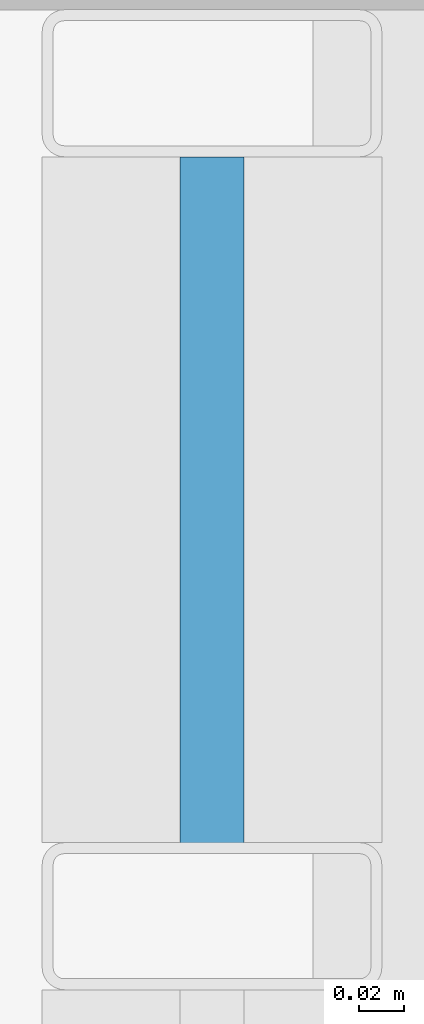
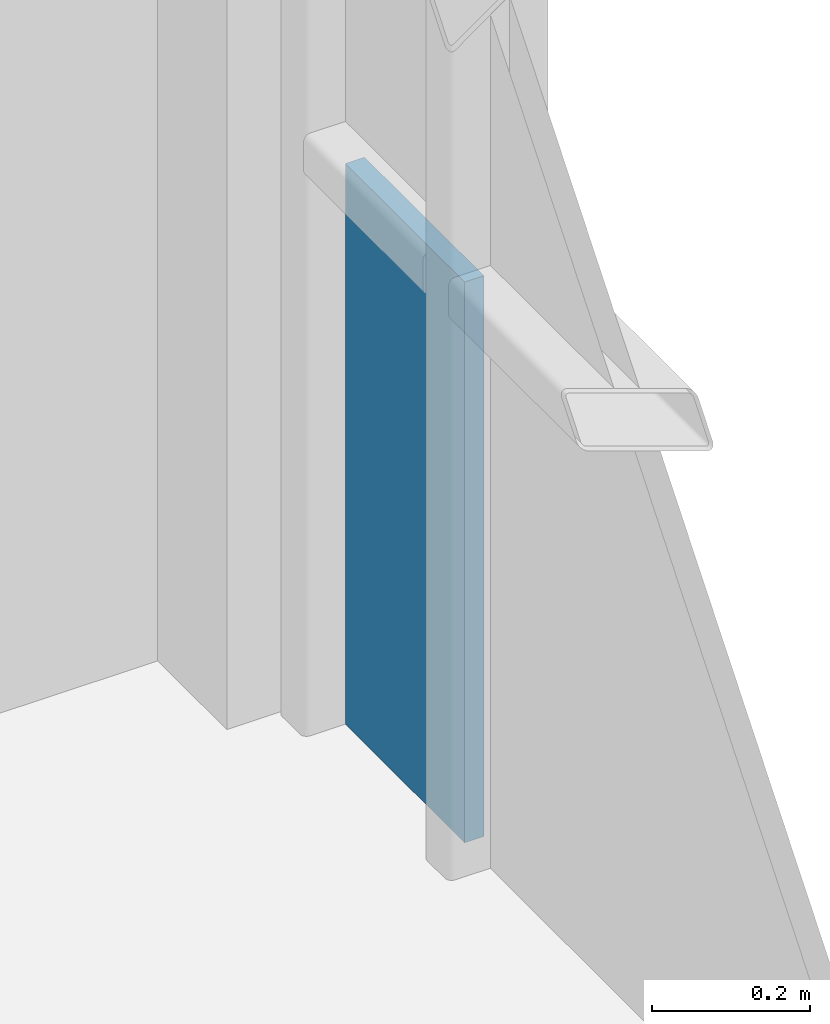
# One storey, part 30 of 41: 1 plate, 1 element without a shape of its own.
"""IFC4 building model written with IfcOpenShell, lengths in metres."""

from ifc_helpers import new_model, si_unit, direction, frame, origin, origin_2d, place, context, subcontext, project, spatial, rectangle, extrude, material, layer, layer_set, type_object, element, aggregate, save


model = new_model("IFC4")

# Units and contexts
model_context = context("Model", 3, precision=1e-05, world=origin(), true_north=direction((0.0, 1.0)))
body_context = subcontext(model_context, "Body", "Model", "MODEL_VIEW")
ifc_project = project(units=[si_unit("LENGTHUNIT", "METRE"), si_unit("AREAUNIT", "SQUARE_METRE"), si_unit("VOLUMEUNIT", "CUBIC_METRE"), si_unit("PLANEANGLEUNIT", "RADIAN"), si_unit("MASSUNIT", "GRAM", prefix="KILO")], contexts=[model_context])

# Site, building, storey
site_placement = place(None, origin())
site = spatial("IfcSite", under=ifc_project, at=site_placement, CompositionType="ELEMENT")
building_placement = place(site_placement, origin())
building = spatial("IfcBuilding", under=site, at=building_placement, Name="Brevholm Reach", CompositionType="ELEMENT")
storey_placement = place(building_placement, frame((0.0, 0.0, 86.89990234375)))
storey = spatial("IfcBuildingStorey", under=building, at=storey_placement, Name="L25", CompositionType="ELEMENT", Elevation=86.89990234375)

# Curtain wall, plate
ifc_material_1 = material(Name="Dark Anodised Aluminium 6063-T6 and Solar-Control Glass", Category="aluminium")
ifc_layer_1 = layer(ifc_material_1, 0.14990234375)
ifc_layer_set_1 = layer_set([ifc_layer_1], Name="Dark Anodised Aluminium 6063-T6 and Solar-Control Glass")
curtain_wall_type = type_object("IfcCurtainWallType", Name="CW-01", PredefinedType="NOTDEFINED", material=ifc_layer_set_1)
curtain_wall_placement = place(storey_placement, origin())
curtain_wall = element("IfcCurtainWall", 1, at=curtain_wall_placement, inside=storey, type_object=curtain_wall_type, Name="L25 Curtain Wall CW-01", PredefinedType="NOTDEFINED")
ifc_material_2 = material(Name="Dark Solar-Control Double-Glazed IGU Glass", Category="glass")
ifc_layer_2 = layer(ifc_material_2, 0.028076171875)
ifc_layer_set_2 = layer_set([ifc_layer_2], Name="Dark Solar-Control Double-Glazed IGU Glass")
plate_type = type_object("IfcPlateType", Name="CWP-GLZ-28", PredefinedType="CURTAIN_PANEL", material=ifc_layer_set_2)
plate_placement = place(storey_placement, frame((59.85009765625, 22.733642578125, 0.0), z_axis=(0.0, 0.0, 1.0), x_axis=(0.0, 1.0, 0.0)))
plate = element("IfcPlate", 2, at=plate_placement, type_object=plate_type, Name="CP-01 Glazing Panel 5.1", PredefinedType="CURTAIN_PANEL", context=body_context, shape_type="SweptSolid", body=[
    extrude(rectangle(XDim=0.302490234375, YDim=0.028076171875, at=origin_2d()), origin(), (0.0, 0.0, 1.0), 0.867431640625),
])
aggregate(curtain_wall, [plate])

save(model, "model.ifc")
